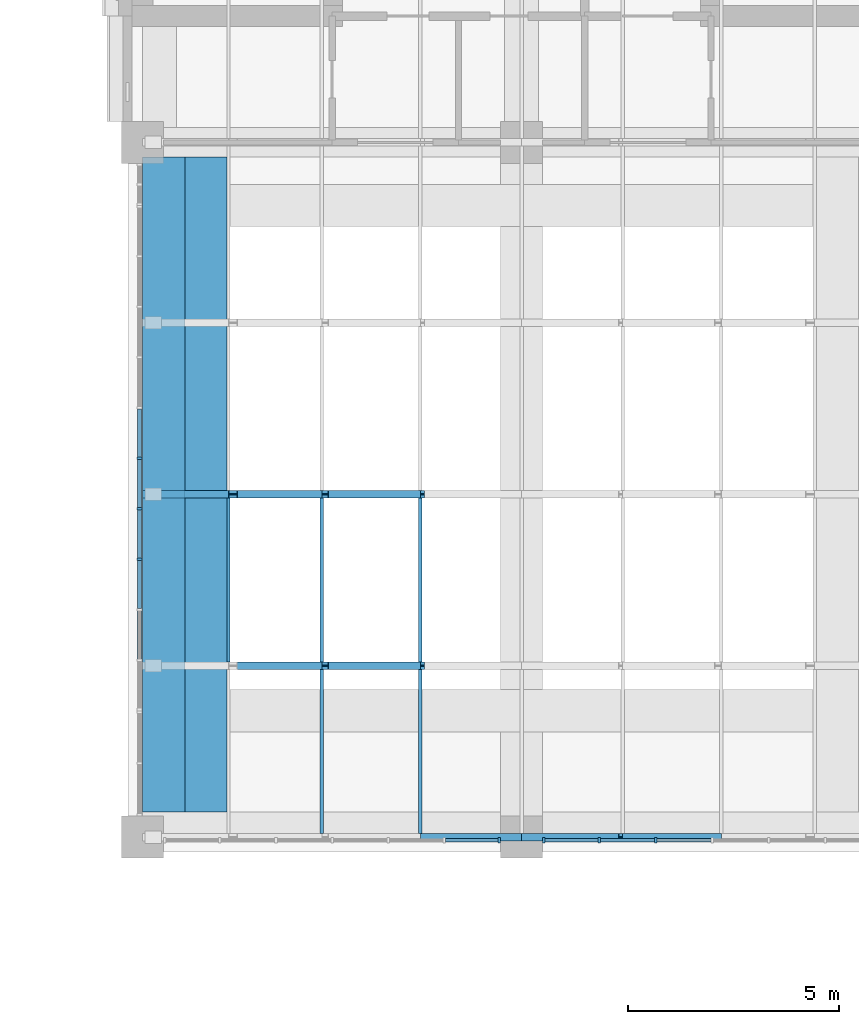
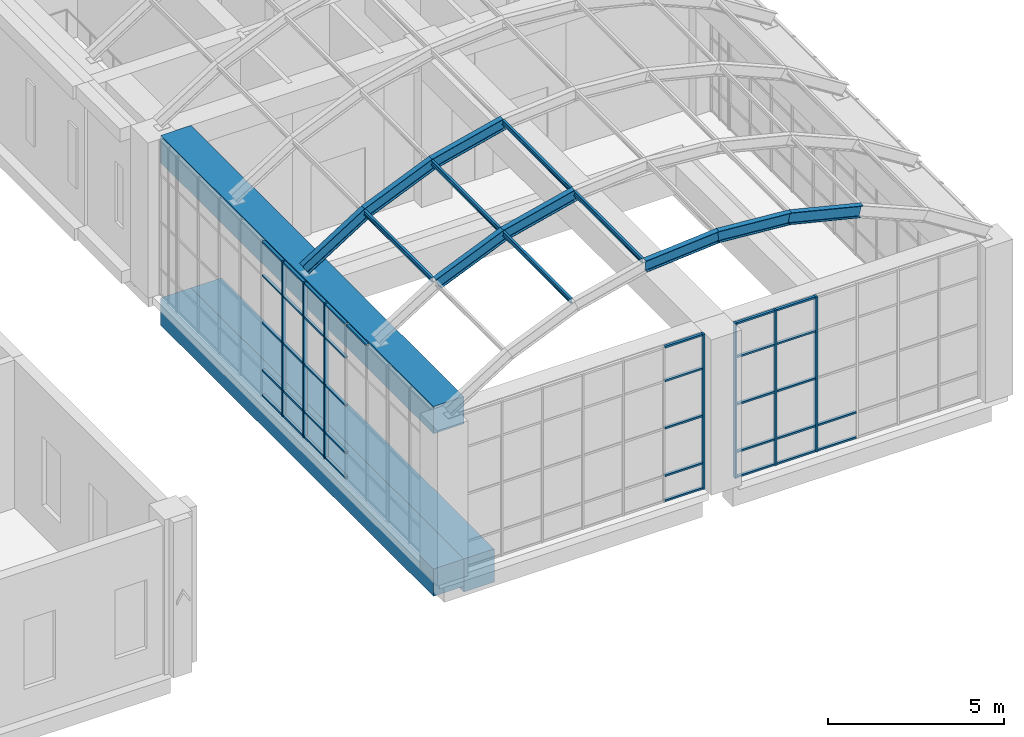
# One storey, part 7 of 39: 58 members, 3 beams, 3 elements without a shape of their own.
"""IFC4 building model written with IfcOpenShell, lengths in metres."""

from ifc_helpers import new_model, si_unit, direction, frame, origin, origin_2d, place, context, subcontext, project, spatial, rectangle, i_section, extrude, material, layer, layer_set, material_profile, profile_set, type_object, element, aggregate, save


model = new_model("IFC4")

# Units and contexts
model_context = context("Model", 3, precision=1e-05, world=origin(), true_north=direction((0.0, 1.0)))
body_context = subcontext(model_context, "Body", "Model", "MODEL_VIEW")
ifc_project = project(units=[si_unit("LENGTHUNIT", "METRE"), si_unit("AREAUNIT", "SQUARE_METRE"), si_unit("VOLUMEUNIT", "CUBIC_METRE"), si_unit("PLANEANGLEUNIT", "RADIAN"), si_unit("MASSUNIT", "GRAM", prefix="KILO")], contexts=[model_context])

# Site, building, storey
site_placement = place(None, origin())
site = spatial("IfcSite", under=ifc_project, at=site_placement, CompositionType="ELEMENT")
building_placement = place(site_placement, origin())
building = spatial("IfcBuilding", under=site, at=building_placement, Name="Aurelan Courthouse", CompositionType="ELEMENT")
storey_placement = place(building_placement, frame((0.0, 0.0, 28.199951171875)))
storey = spatial("IfcBuildingStorey", under=building, at=storey_placement, Name="L05", CompositionType="ELEMENT", Elevation=28.199951171875)

# Curtain wall, member
ifc_material_1 = material(Name="Bronze-finished aluminium and glass", Category="aluminium")
ifc_layer_1 = layer(ifc_material_1, 0.14990234375)
ifc_layer_set_1 = layer_set([ifc_layer_1], Name="Bronze-finished aluminium and glass")
curtain_wall_type_1 = type_object("IfcCurtainWallType", Name="Curtain wall 8000 x 5400", PredefinedType="NOTDEFINED", material=ifc_layer_set_1)
curtain_wall_1_placement = place(storey_placement, origin())
curtain_wall_1 = element("IfcCurtainWall", 1, at=curtain_wall_1_placement, inside=storey, type_object=curtain_wall_type_1, Name="Curtain wall CW-V3-L05-S01", PredefinedType="NOTDEFINED")
ifc_material_2 = material(Name="Bronze-finished aluminium", Category="aluminium")
ifc_material_profile_1 = material_profile(ifc_material_2, rectangle(XDim=0.125, YDim=0.06005859375, at=origin_2d()), Name="Bronze mullion 60 x 125")
ifc_profile_set_1 = profile_set([ifc_material_profile_1], Name="Bronze-finished aluminium")
member_type_1 = type_object("IfcMemberType", Name="Curtain wall mullion 60 x 125", PredefinedType="MULLION", material=ifc_profile_set_1)
member_1_placement = place(storey_placement, frame((80.469970703125, 37.425048828125, 0.0), z_axis=(0.0, 0.0, 1.0), x_axis=(0.0, 1.0, 0.0)))
member_1 = element("IfcMember", 2, at=member_1_placement, type_object=member_type_1, Name="CW-V3-L05-S01 mullion 7", PredefinedType="MULLION", context=body_context, shape_type="SweptSolid", body=[
    extrude(rectangle(XDim=0.125, YDim=0.06005859375, at=origin_2d()), origin(), (0.0, 0.0, 1.0), 5.400146484375),
])

# Curtain wall, members
ifc_layer_2 = layer(ifc_material_1, 0.14990234375)
ifc_layer_set_2 = layer_set([ifc_layer_2], Name="Bronze-finished aluminium and glass")
curtain_wall_type_2 = type_object("IfcCurtainWallType", Name="Curtain wall 8050 x 5400", PredefinedType="NOTDEFINED", material=ifc_layer_set_2)
curtain_wall_2_placement = place(storey_placement, origin())
curtain_wall_2 = element("IfcCurtainWall", 3, at=curtain_wall_2_placement, inside=storey, type_object=curtain_wall_type_2, Name="Curtain wall CW-V3-L05-S02", PredefinedType="NOTDEFINED")
member_2_placement = place(storey_placement, frame((81.530029296875, 37.425048828125, 0.0), z_axis=(0.0, 0.0, 1.0), x_axis=(0.0, 1.0, 0.0)))
member_2 = element("IfcMember", 4, at=member_2_placement, type_object=member_type_1, Name="CW-V3-L05-S02 mullion 1", PredefinedType="MULLION", context=body_context, shape_type="SweptSolid", body=[
    extrude(rectangle(XDim=0.125, YDim=0.06005859375, at=origin_2d()), origin(), (0.0, 0.0, 1.0), 5.400146484375),
])
member_3_placement = place(storey_placement, frame((82.841552734375, 37.425048828125, 0.0), z_axis=(0.0, 0.0, 1.0), x_axis=(0.0, 1.0, 0.0)))
member_3 = element("IfcMember", 5, at=member_3_placement, type_object=member_type_1, Name="CW-V3-L05-S02 mullion 2", PredefinedType="MULLION", context=body_context, shape_type="SweptSolid", body=[
    extrude(rectangle(XDim=0.125, YDim=0.06005859375, at=origin_2d()), origin(), (0.0, 0.0, 1.0), 5.400146484375),
])
member_4_placement = place(storey_placement, frame((84.183349609375, 37.425048828125, 0.0), z_axis=(0.0, 0.0, 1.0), x_axis=(0.0, 1.0, 0.0)))
member_4 = element("IfcMember", 6, at=member_4_placement, type_object=member_type_1, Name="CW-V3-L05-S02 mullion 3", PredefinedType="MULLION", context=body_context, shape_type="SweptSolid", body=[
    extrude(rectangle(XDim=0.125, YDim=0.06005859375, at=origin_2d()), origin(), (0.0, 0.0, 1.0), 5.400146484375),
])

ifc_layer_3 = layer(ifc_material_1, 0.14990234375)
ifc_layer_set_3 = layer_set([ifc_layer_3], Name="Bronze-finished aluminium and glass")
curtain_wall_type_3 = type_object("IfcCurtainWallType", Name="Curtain wall 12000 x 5400", PredefinedType="NOTDEFINED", material=ifc_layer_set_3)
curtain_wall_3_placement = place(storey_placement, origin())
curtain_wall_3 = element("IfcCurtainWall", 7, at=curtain_wall_3_placement, inside=storey, type_object=curtain_wall_type_3, Name="Curtain wall CW-V3-L05-W02", PredefinedType="NOTDEFINED")
member_5_placement = place(storey_placement, frame((71.925048828125, 44.10009765625, 0.0), z_axis=(0.0, 0.0, 1.0), x_axis=(-1.0, 0.0, 0.0)))
member_5 = element("IfcMember", 8, at=member_5_placement, type_object=member_type_1, Name="CW-V3-L05-W02 mullion 4", PredefinedType="MULLION", context=body_context, shape_type="SweptSolid", body=[
    extrude(rectangle(XDim=0.125, YDim=0.06005859375, at=origin_2d()), origin(), (0.0, 0.0, 1.0), 5.400146484375),
])
member_6_placement = place(storey_placement, frame((71.925048828125, 45.300048828125, 0.0), z_axis=(0.0, 0.0, 1.0), x_axis=(-1.0, 0.0, 0.0)))
member_6 = element("IfcMember", 9, at=member_6_placement, type_object=member_type_1, Name="CW-V3-L05-W02 mullion 5", PredefinedType="MULLION", context=body_context, shape_type="SweptSolid", body=[
    extrude(rectangle(XDim=0.125, YDim=0.06005859375, at=origin_2d()), origin(), (0.0, 0.0, 1.0), 5.400146484375),
])
member_7_placement = place(storey_placement, frame((71.925048828125, 46.5, 0.0), z_axis=(0.0, 0.0, 1.0), x_axis=(-1.0, 0.0, 0.0)))
member_7 = element("IfcMember", 10, at=member_7_placement, type_object=member_type_1, Name="CW-V3-L05-W02 mullion 6", PredefinedType="MULLION", context=body_context, shape_type="SweptSolid", body=[
    extrude(rectangle(XDim=0.125, YDim=0.06005859375, at=origin_2d()), origin(), (0.0, 0.0, 1.0), 5.400146484375),
])

# Member
ifc_material_profile_2 = material_profile(ifc_material_2, rectangle(XDim=0.090087890625, YDim=0.06005859375, at=origin_2d()), Name="Bronze transom 60 x 90")
ifc_profile_set_2 = profile_set([ifc_material_profile_2], Name="Bronze-finished aluminium")
member_type_2 = type_object("IfcMemberType", Name="Curtain wall transom 60 x 90", PredefinedType="USERDEFINED", material=ifc_profile_set_2)
member_8_placement = place(storey_placement, frame((79.19677734375, 37.425048828125, 0.030029296875), z_axis=(1.0, 0.0, 0.0), x_axis=(0.0, 1.0, 0.0)))
member_8 = element("IfcMember", 11, at=member_8_placement, type_object=member_type_2, Name="CW-V3-L05-S01 transom 6.1", ObjectType="TRANSOM", PredefinedType="USERDEFINED", context=body_context, shape_type="SweptSolid", body=[
    extrude(rectangle(XDim=0.090087890625, YDim=0.06005859375, at=origin_2d()), origin(), (0.0, 0.0, 1.0), 1.2431640625),
])

member_9_placement = place(storey_placement, frame((79.19677734375, 37.425048828125, 0.900146484375), z_axis=(1.0, 0.0, 0.0), x_axis=(0.0, 1.0, 0.0)))
member_9 = element("IfcMember", 12, at=member_9_placement, type_object=member_type_2, Name="CW-V3-L05-S01 transom 6.2", ObjectType="TRANSOM", PredefinedType="USERDEFINED", context=body_context, shape_type="SweptSolid", body=[
    extrude(rectangle(XDim=0.090087890625, YDim=0.06005859375, at=origin_2d()), origin(), (0.0, 0.0, 1.0), 1.2431640625),
])

member_10_placement = place(storey_placement, frame((79.19677734375, 37.425048828125, 2.550048828125), z_axis=(1.0, 0.0, 0.0), x_axis=(0.0, 1.0, 0.0)))
member_10 = element("IfcMember", 13, at=member_10_placement, type_object=member_type_2, Name="CW-V3-L05-S01 transom 6.3", ObjectType="TRANSOM", PredefinedType="USERDEFINED", context=body_context, shape_type="SweptSolid", body=[
    extrude(rectangle(XDim=0.090087890625, YDim=0.06005859375, at=origin_2d()), origin(), (0.0, 0.0, 1.0), 1.2431640625),
])

member_11_placement = place(storey_placement, frame((79.19677734375, 37.425048828125, 4.199951171875), z_axis=(1.0, 0.0, 0.0), x_axis=(0.0, 1.0, 0.0)))
member_11 = element("IfcMember", 14, at=member_11_placement, type_object=member_type_2, Name="CW-V3-L05-S01 transom 6.4", ObjectType="TRANSOM", PredefinedType="USERDEFINED", context=body_context, shape_type="SweptSolid", body=[
    extrude(rectangle(XDim=0.090087890625, YDim=0.06005859375, at=origin_2d()), origin(), (0.0, 0.0, 1.0), 1.2431640625),
])

member_12_placement = place(storey_placement, frame((79.19677734375, 37.425048828125, 5.3701171875), z_axis=(1.0, 0.0, 0.0), x_axis=(0.0, 1.0, 0.0)))
member_12 = element("IfcMember", 15, at=member_12_placement, type_object=member_type_2, Name="CW-V3-L05-S01 transom 6.5", ObjectType="TRANSOM", PredefinedType="USERDEFINED", context=body_context, shape_type="SweptSolid", body=[
    extrude(rectangle(XDim=0.090087890625, YDim=0.06005859375, at=origin_2d()), origin(), (0.0, 0.0, 1.0), 1.2431640625),
])

aggregate(curtain_wall_1, [member_1, member_8, member_9, member_10, member_11, member_12])

member_13_placement = place(storey_placement, frame((81.56005859375, 37.425048828125, 0.030029296875), z_axis=(1.0, 0.0, 0.0), x_axis=(0.0, 1.0, 0.0)))
member_13 = element("IfcMember", 16, at=member_13_placement, type_object=member_type_2, Name="CW-V3-L05-S02 transom 1.1", ObjectType="TRANSOM", PredefinedType="USERDEFINED", context=body_context, shape_type="SweptSolid", body=[
    extrude(rectangle(XDim=0.090087890625, YDim=0.06005859375, at=origin_2d()), origin(), (0.0, 0.0, 1.0), 1.251708984375),
])

member_14_placement = place(storey_placement, frame((81.56005859375, 37.425048828125, 0.900146484375), z_axis=(1.0, 0.0, 0.0), x_axis=(0.0, 1.0, 0.0)))
member_14 = element("IfcMember", 17, at=member_14_placement, type_object=member_type_2, Name="CW-V3-L05-S02 transom 1.2", ObjectType="TRANSOM", PredefinedType="USERDEFINED", context=body_context, shape_type="SweptSolid", body=[
    extrude(rectangle(XDim=0.090087890625, YDim=0.06005859375, at=origin_2d()), origin(), (0.0, 0.0, 1.0), 1.251708984375),
])

member_15_placement = place(storey_placement, frame((81.56005859375, 37.425048828125, 2.550048828125), z_axis=(1.0, 0.0, 0.0), x_axis=(0.0, 1.0, 0.0)))
member_15 = element("IfcMember", 18, at=member_15_placement, type_object=member_type_2, Name="CW-V3-L05-S02 transom 1.3", ObjectType="TRANSOM", PredefinedType="USERDEFINED", context=body_context, shape_type="SweptSolid", body=[
    extrude(rectangle(XDim=0.090087890625, YDim=0.06005859375, at=origin_2d()), origin(), (0.0, 0.0, 1.0), 1.251708984375),
])

member_16_placement = place(storey_placement, frame((81.56005859375, 37.425048828125, 4.199951171875), z_axis=(1.0, 0.0, 0.0), x_axis=(0.0, 1.0, 0.0)))
member_16 = element("IfcMember", 19, at=member_16_placement, type_object=member_type_2, Name="CW-V3-L05-S02 transom 1.4", ObjectType="TRANSOM", PredefinedType="USERDEFINED", context=body_context, shape_type="SweptSolid", body=[
    extrude(rectangle(XDim=0.090087890625, YDim=0.06005859375, at=origin_2d()), origin(), (0.0, 0.0, 1.0), 1.251708984375),
])

member_17_placement = place(storey_placement, frame((81.56005859375, 37.425048828125, 5.3701171875), z_axis=(1.0, 0.0, 0.0), x_axis=(0.0, 1.0, 0.0)))
member_17 = element("IfcMember", 20, at=member_17_placement, type_object=member_type_2, Name="CW-V3-L05-S02 transom 1.5", ObjectType="TRANSOM", PredefinedType="USERDEFINED", context=body_context, shape_type="SweptSolid", body=[
    extrude(rectangle(XDim=0.090087890625, YDim=0.06005859375, at=origin_2d()), origin(), (0.0, 0.0, 1.0), 1.251708984375),
])

member_18_placement = place(storey_placement, frame((82.87158203125, 37.425048828125, 0.030029296875), z_axis=(1.0, 0.0, 0.0), x_axis=(0.0, 1.0, 0.0)))
member_18 = element("IfcMember", 21, at=member_18_placement, type_object=member_type_2, Name="CW-V3-L05-S02 transom 2.1", ObjectType="TRANSOM", PredefinedType="USERDEFINED", context=body_context, shape_type="SweptSolid", body=[
    extrude(rectangle(XDim=0.090087890625, YDim=0.06005859375, at=origin_2d()), origin(), (0.0, 0.0, 1.0), 1.28173828125),
])

member_19_placement = place(storey_placement, frame((82.87158203125, 37.425048828125, 0.900146484375), z_axis=(1.0, 0.0, 0.0), x_axis=(0.0, 1.0, 0.0)))
member_19 = element("IfcMember", 22, at=member_19_placement, type_object=member_type_2, Name="CW-V3-L05-S02 transom 2.2", ObjectType="TRANSOM", PredefinedType="USERDEFINED", context=body_context, shape_type="SweptSolid", body=[
    extrude(rectangle(XDim=0.090087890625, YDim=0.06005859375, at=origin_2d()), origin(), (0.0, 0.0, 1.0), 1.28173828125),
])

member_20_placement = place(storey_placement, frame((82.87158203125, 37.425048828125, 2.550048828125), z_axis=(1.0, 0.0, 0.0), x_axis=(0.0, 1.0, 0.0)))
member_20 = element("IfcMember", 23, at=member_20_placement, type_object=member_type_2, Name="CW-V3-L05-S02 transom 2.3", ObjectType="TRANSOM", PredefinedType="USERDEFINED", context=body_context, shape_type="SweptSolid", body=[
    extrude(rectangle(XDim=0.090087890625, YDim=0.06005859375, at=origin_2d()), origin(), (0.0, 0.0, 1.0), 1.28173828125),
])

member_21_placement = place(storey_placement, frame((82.87158203125, 37.425048828125, 4.199951171875), z_axis=(1.0, 0.0, 0.0), x_axis=(0.0, 1.0, 0.0)))
member_21 = element("IfcMember", 24, at=member_21_placement, type_object=member_type_2, Name="CW-V3-L05-S02 transom 2.4", ObjectType="TRANSOM", PredefinedType="USERDEFINED", context=body_context, shape_type="SweptSolid", body=[
    extrude(rectangle(XDim=0.090087890625, YDim=0.06005859375, at=origin_2d()), origin(), (0.0, 0.0, 1.0), 1.28173828125),
])

member_22_placement = place(storey_placement, frame((82.87158203125, 37.425048828125, 5.3701171875), z_axis=(1.0, 0.0, 0.0), x_axis=(0.0, 1.0, 0.0)))
member_22 = element("IfcMember", 25, at=member_22_placement, type_object=member_type_2, Name="CW-V3-L05-S02 transom 2.5", ObjectType="TRANSOM", PredefinedType="USERDEFINED", context=body_context, shape_type="SweptSolid", body=[
    extrude(rectangle(XDim=0.090087890625, YDim=0.06005859375, at=origin_2d()), origin(), (0.0, 0.0, 1.0), 1.28173828125),
])

member_23_placement = place(storey_placement, frame((84.21337890625, 37.425048828125, 0.030029296875), z_axis=(1.0, 0.0, 0.0), x_axis=(0.0, 1.0, 0.0)))
member_23 = element("IfcMember", 26, at=member_23_placement, type_object=member_type_2, Name="CW-V3-L05-S02 transom 3.1", ObjectType="TRANSOM", PredefinedType="USERDEFINED", context=body_context, shape_type="SweptSolid", body=[
    extrude(rectangle(XDim=0.090087890625, YDim=0.06005859375, at=origin_2d()), origin(), (0.0, 0.0, 1.0), 1.28173828125),
])

member_24_placement = place(storey_placement, frame((84.21337890625, 37.425048828125, 0.900146484375), z_axis=(1.0, 0.0, 0.0), x_axis=(0.0, 1.0, 0.0)))
member_24 = element("IfcMember", 27, at=member_24_placement, type_object=member_type_2, Name="CW-V3-L05-S02 transom 3.2", ObjectType="TRANSOM", PredefinedType="USERDEFINED", context=body_context, shape_type="SweptSolid", body=[
    extrude(rectangle(XDim=0.090087890625, YDim=0.06005859375, at=origin_2d()), origin(), (0.0, 0.0, 1.0), 1.28173828125),
])

aggregate(curtain_wall_2, [member_2, member_3, member_4, member_13, member_14, member_15, member_16, member_17, member_18, member_19, member_20, member_21, member_22, member_23, member_24])

member_25_placement = place(storey_placement, frame((71.925048828125, 41.72998046875, 5.3701171875), z_axis=(0.0, 1.0, 0.0), x_axis=(-1.0, 0.0, 0.0)))
member_25 = element("IfcMember", 28, at=member_25_placement, type_object=member_type_2, Name="CW-V3-L05-W02 transom 2.5", ObjectType="TRANSOM", PredefinedType="USERDEFINED", context=body_context, shape_type="SweptSolid", body=[
    extrude(rectangle(XDim=0.090087890625, YDim=0.06005859375, at=origin_2d()), origin(), (0.0, 0.0, 1.0), 1.14013671875),
])

member_26_placement = place(storey_placement, frame((71.925048828125, 42.929931640625, 0.030029296875), z_axis=(0.0, 1.0, 0.0), x_axis=(-1.0, 0.0, 0.0)))
member_26 = element("IfcMember", 29, at=member_26_placement, type_object=member_type_2, Name="CW-V3-L05-W02 transom 3.1", ObjectType="TRANSOM", PredefinedType="USERDEFINED", context=body_context, shape_type="SweptSolid", body=[
    extrude(rectangle(XDim=0.090087890625, YDim=0.06005859375, at=origin_2d()), origin(), (0.0, 0.0, 1.0), 1.14013671875),
])

member_27_placement = place(storey_placement, frame((71.925048828125, 42.929931640625, 0.900146484375), z_axis=(0.0, 1.0, 0.0), x_axis=(-1.0, 0.0, 0.0)))
member_27 = element("IfcMember", 30, at=member_27_placement, type_object=member_type_2, Name="CW-V3-L05-W02 transom 3.2", ObjectType="TRANSOM", PredefinedType="USERDEFINED", context=body_context, shape_type="SweptSolid", body=[
    extrude(rectangle(XDim=0.090087890625, YDim=0.06005859375, at=origin_2d()), origin(), (0.0, 0.0, 1.0), 1.14013671875),
])

member_28_placement = place(storey_placement, frame((71.925048828125, 42.929931640625, 2.550048828125), z_axis=(0.0, 1.0, 0.0), x_axis=(-1.0, 0.0, 0.0)))
member_28 = element("IfcMember", 31, at=member_28_placement, type_object=member_type_2, Name="CW-V3-L05-W02 transom 3.3", ObjectType="TRANSOM", PredefinedType="USERDEFINED", context=body_context, shape_type="SweptSolid", body=[
    extrude(rectangle(XDim=0.090087890625, YDim=0.06005859375, at=origin_2d()), origin(), (0.0, 0.0, 1.0), 1.14013671875),
])

member_29_placement = place(storey_placement, frame((71.925048828125, 42.929931640625, 4.199951171875), z_axis=(0.0, 1.0, 0.0), x_axis=(-1.0, 0.0, 0.0)))
member_29 = element("IfcMember", 32, at=member_29_placement, type_object=member_type_2, Name="CW-V3-L05-W02 transom 3.4", ObjectType="TRANSOM", PredefinedType="USERDEFINED", context=body_context, shape_type="SweptSolid", body=[
    extrude(rectangle(XDim=0.090087890625, YDim=0.06005859375, at=origin_2d()), origin(), (0.0, 0.0, 1.0), 1.14013671875),
])

member_30_placement = place(storey_placement, frame((71.925048828125, 42.929931640625, 5.3701171875), z_axis=(0.0, 1.0, 0.0), x_axis=(-1.0, 0.0, 0.0)))
member_30 = element("IfcMember", 33, at=member_30_placement, type_object=member_type_2, Name="CW-V3-L05-W02 transom 3.5", ObjectType="TRANSOM", PredefinedType="USERDEFINED", context=body_context, shape_type="SweptSolid", body=[
    extrude(rectangle(XDim=0.090087890625, YDim=0.06005859375, at=origin_2d()), origin(), (0.0, 0.0, 1.0), 1.14013671875),
])

member_31_placement = place(storey_placement, frame((71.925048828125, 44.1298828125, 0.030029296875), z_axis=(0.0, 1.0, 0.0), x_axis=(-1.0, 0.0, 0.0)))
member_31 = element("IfcMember", 34, at=member_31_placement, type_object=member_type_2, Name="CW-V3-L05-W02 transom 4.1", ObjectType="TRANSOM", PredefinedType="USERDEFINED", context=body_context, shape_type="SweptSolid", body=[
    extrude(rectangle(XDim=0.090087890625, YDim=0.06005859375, at=origin_2d()), origin(), (0.0, 0.0, 1.0), 1.14013671875),
])

member_32_placement = place(storey_placement, frame((71.925048828125, 44.1298828125, 0.900146484375), z_axis=(0.0, 1.0, 0.0), x_axis=(-1.0, 0.0, 0.0)))
member_32 = element("IfcMember", 35, at=member_32_placement, type_object=member_type_2, Name="CW-V3-L05-W02 transom 4.2", ObjectType="TRANSOM", PredefinedType="USERDEFINED", context=body_context, shape_type="SweptSolid", body=[
    extrude(rectangle(XDim=0.090087890625, YDim=0.06005859375, at=origin_2d()), origin(), (0.0, 0.0, 1.0), 1.14013671875),
])

member_33_placement = place(storey_placement, frame((71.925048828125, 44.1298828125, 2.550048828125), z_axis=(0.0, 1.0, 0.0), x_axis=(-1.0, 0.0, 0.0)))
member_33 = element("IfcMember", 36, at=member_33_placement, type_object=member_type_2, Name="CW-V3-L05-W02 transom 4.3", ObjectType="TRANSOM", PredefinedType="USERDEFINED", context=body_context, shape_type="SweptSolid", body=[
    extrude(rectangle(XDim=0.090087890625, YDim=0.06005859375, at=origin_2d()), origin(), (0.0, 0.0, 1.0), 1.14013671875),
])

member_34_placement = place(storey_placement, frame((71.925048828125, 44.1298828125, 4.199951171875), z_axis=(0.0, 1.0, 0.0), x_axis=(-1.0, 0.0, 0.0)))
member_34 = element("IfcMember", 37, at=member_34_placement, type_object=member_type_2, Name="CW-V3-L05-W02 transom 4.4", ObjectType="TRANSOM", PredefinedType="USERDEFINED", context=body_context, shape_type="SweptSolid", body=[
    extrude(rectangle(XDim=0.090087890625, YDim=0.06005859375, at=origin_2d()), origin(), (0.0, 0.0, 1.0), 1.14013671875),
])

member_35_placement = place(storey_placement, frame((71.925048828125, 44.1298828125, 5.3701171875), z_axis=(0.0, 1.0, 0.0), x_axis=(-1.0, 0.0, 0.0)))
member_35 = element("IfcMember", 38, at=member_35_placement, type_object=member_type_2, Name="CW-V3-L05-W02 transom 4.5", ObjectType="TRANSOM", PredefinedType="USERDEFINED", context=body_context, shape_type="SweptSolid", body=[
    extrude(rectangle(XDim=0.090087890625, YDim=0.06005859375, at=origin_2d()), origin(), (0.0, 0.0, 1.0), 1.14013671875),
])

member_36_placement = place(storey_placement, frame((71.925048828125, 45.330078125, 0.030029296875), z_axis=(0.0, 1.0, 0.0), x_axis=(-1.0, 0.0, 0.0)))
member_36 = element("IfcMember", 39, at=member_36_placement, type_object=member_type_2, Name="CW-V3-L05-W02 transom 5.1", ObjectType="TRANSOM", PredefinedType="USERDEFINED", context=body_context, shape_type="SweptSolid", body=[
    extrude(rectangle(XDim=0.090087890625, YDim=0.06005859375, at=origin_2d()), origin(), (0.0, 0.0, 1.0), 1.139892578125),
])

member_37_placement = place(storey_placement, frame((71.925048828125, 45.330078125, 0.900146484375), z_axis=(0.0, 1.0, 0.0), x_axis=(-1.0, 0.0, 0.0)))
member_37 = element("IfcMember", 40, at=member_37_placement, type_object=member_type_2, Name="CW-V3-L05-W02 transom 5.2", ObjectType="TRANSOM", PredefinedType="USERDEFINED", context=body_context, shape_type="SweptSolid", body=[
    extrude(rectangle(XDim=0.090087890625, YDim=0.06005859375, at=origin_2d()), origin(), (0.0, 0.0, 1.0), 1.139892578125),
])

member_38_placement = place(storey_placement, frame((71.925048828125, 45.330078125, 2.550048828125), z_axis=(0.0, 1.0, 0.0), x_axis=(-1.0, 0.0, 0.0)))
member_38 = element("IfcMember", 41, at=member_38_placement, type_object=member_type_2, Name="CW-V3-L05-W02 transom 5.3", ObjectType="TRANSOM", PredefinedType="USERDEFINED", context=body_context, shape_type="SweptSolid", body=[
    extrude(rectangle(XDim=0.090087890625, YDim=0.06005859375, at=origin_2d()), origin(), (0.0, 0.0, 1.0), 1.139892578125),
])

member_39_placement = place(storey_placement, frame((71.925048828125, 45.330078125, 4.199951171875), z_axis=(0.0, 1.0, 0.0), x_axis=(-1.0, 0.0, 0.0)))
member_39 = element("IfcMember", 42, at=member_39_placement, type_object=member_type_2, Name="CW-V3-L05-W02 transom 5.4", ObjectType="TRANSOM", PredefinedType="USERDEFINED", context=body_context, shape_type="SweptSolid", body=[
    extrude(rectangle(XDim=0.090087890625, YDim=0.06005859375, at=origin_2d()), origin(), (0.0, 0.0, 1.0), 1.139892578125),
])

member_40_placement = place(storey_placement, frame((71.925048828125, 45.330078125, 5.3701171875), z_axis=(0.0, 1.0, 0.0), x_axis=(-1.0, 0.0, 0.0)))
member_40 = element("IfcMember", 43, at=member_40_placement, type_object=member_type_2, Name="CW-V3-L05-W02 transom 5.5", ObjectType="TRANSOM", PredefinedType="USERDEFINED", context=body_context, shape_type="SweptSolid", body=[
    extrude(rectangle(XDim=0.090087890625, YDim=0.06005859375, at=origin_2d()), origin(), (0.0, 0.0, 1.0), 1.139892578125),
])

member_41_placement = place(storey_placement, frame((71.925048828125, 46.530029296875, 0.030029296875), z_axis=(0.0, 1.0, 0.0), x_axis=(-1.0, 0.0, 0.0)))
member_41 = element("IfcMember", 44, at=member_41_placement, type_object=member_type_2, Name="CW-V3-L05-W02 transom 6.1", ObjectType="TRANSOM", PredefinedType="USERDEFINED", context=body_context, shape_type="SweptSolid", body=[
    extrude(rectangle(XDim=0.090087890625, YDim=0.06005859375, at=origin_2d()), origin(), (0.0, 0.0, 1.0), 1.139892578125),
])

member_42_placement = place(storey_placement, frame((71.925048828125, 46.530029296875, 0.900146484375), z_axis=(0.0, 1.0, 0.0), x_axis=(-1.0, 0.0, 0.0)))
member_42 = element("IfcMember", 45, at=member_42_placement, type_object=member_type_2, Name="CW-V3-L05-W02 transom 6.2", ObjectType="TRANSOM", PredefinedType="USERDEFINED", context=body_context, shape_type="SweptSolid", body=[
    extrude(rectangle(XDim=0.090087890625, YDim=0.06005859375, at=origin_2d()), origin(), (0.0, 0.0, 1.0), 1.139892578125),
])

member_43_placement = place(storey_placement, frame((71.925048828125, 46.530029296875, 2.550048828125), z_axis=(0.0, 1.0, 0.0), x_axis=(-1.0, 0.0, 0.0)))
member_43 = element("IfcMember", 46, at=member_43_placement, type_object=member_type_2, Name="CW-V3-L05-W02 transom 6.3", ObjectType="TRANSOM", PredefinedType="USERDEFINED", context=body_context, shape_type="SweptSolid", body=[
    extrude(rectangle(XDim=0.090087890625, YDim=0.06005859375, at=origin_2d()), origin(), (0.0, 0.0, 1.0), 1.139892578125),
])

member_44_placement = place(storey_placement, frame((71.925048828125, 46.530029296875, 4.199951171875), z_axis=(0.0, 1.0, 0.0), x_axis=(-1.0, 0.0, 0.0)))
member_44 = element("IfcMember", 47, at=member_44_placement, type_object=member_type_2, Name="CW-V3-L05-W02 transom 6.4", ObjectType="TRANSOM", PredefinedType="USERDEFINED", context=body_context, shape_type="SweptSolid", body=[
    extrude(rectangle(XDim=0.090087890625, YDim=0.06005859375, at=origin_2d()), origin(), (0.0, 0.0, 1.0), 1.139892578125),
])

member_45_placement = place(storey_placement, frame((71.925048828125, 46.530029296875, 5.3701171875), z_axis=(0.0, 1.0, 0.0), x_axis=(-1.0, 0.0, 0.0)))
member_45 = element("IfcMember", 48, at=member_45_placement, type_object=member_type_2, Name="CW-V3-L05-W02 transom 6.5", ObjectType="TRANSOM", PredefinedType="USERDEFINED", context=body_context, shape_type="SweptSolid", body=[
    extrude(rectangle(XDim=0.090087890625, YDim=0.06005859375, at=origin_2d()), origin(), (0.0, 0.0, 1.0), 1.139892578125),
])

aggregate(curtain_wall_3, [member_5, member_6, member_7, member_25, member_26, member_27, member_28, member_29, member_30, member_31, member_32, member_33, member_34, member_35, member_36, member_37, member_38, member_39, member_40, member_41, member_42, member_43, member_44, member_45])

# Beams
ifc_material_3 = material(Name="Concrete C50", Category="concrete")
ifc_material_profile_3 = material_profile(ifc_material_3, rectangle(XDim=1.0, YDim=0.949951171875, at=origin_2d()), Name="RC 1000 x 950")
ifc_profile_set_3 = profile_set([ifc_material_profile_3], Name="Concrete C50")
beam_type_1 = type_object("IfcBeamType", Name="PT girder 1000 x 950", PredefinedType="BEAM", material=ifc_profile_set_3)
for number, where, z_axis, x_axis, name in (
    (49, (72.5, 38.10009765625, -0.724853515625), (0.0, 1.0, 0.0), (-1.0, 0.0, 0.0), "Girder GB-9DE-E"),
    (50, (72.5, 38.10009765625, 4.925048828125), (0.0, 1.0, 0.0), (-1.0, 0.0, 0.0), "Girder GB-9DEER"),
):
    element("IfcBeam", number, at=place(storey_placement, frame(where, z_axis=z_axis, x_axis=x_axis)), inside=storey, type_object=beam_type_1, Name=name, PredefinedType="BEAM", context=body_context, shape_type="SweptSolid", body=[
        extrude(rectangle(XDim=1.0, YDim=0.949951171875, at=origin_2d()), origin(), (0.0, 0.0, 1.0), 15.5498046875),
    ])
ifc_material_4 = material(Name="Concrete C40", Category="concrete")
ifc_material_profile_4 = material_profile(ifc_material_4, rectangle(XDim=1.0, YDim=1.14990234375, at=origin_2d()), Name="RC 1000 x 1150")
ifc_profile_set_4 = profile_set([ifc_material_profile_4], Name="Concrete C40")
beam_type_2 = type_object("IfcBeamType", Name="RC trimmer beam 1000 x 1150", PredefinedType="JOIST", material=ifc_profile_set_4)
beam_placement = place(storey_placement, frame((73.5, 38.10009765625, -0.824951171875), z_axis=(0.0, 1.0, 0.0), x_axis=(-1.0, 0.0, 0.0)))
element("IfcBeam", 51, at=beam_placement, inside=storey, type_object=beam_type_2, Name="Trimmer beam TB-L05-001", PredefinedType="JOIST", context=body_context, shape_type="SweptSolid", body=[
    extrude(rectangle(XDim=1.0, YDim=1.14990234375, at=origin_2d()), origin(), (0.0, 0.0, 1.0), 15.5498046875),
])

# Members
ifc_material_5 = material(Name="Steel S355", Category="steel")
ifc_material_profile_5 = material_profile(ifc_material_5, i_section(OverallWidth=0.08203125, OverallDepth=0.159912109375, WebThickness=0.0048828125, FlangeThickness=0.00732421875, FilletRadius=0.009033203125, at=origin_2d()), Name="IPE 160")
ifc_profile_set_5 = profile_set([ifc_material_profile_5], Name="Steel S355")
member_type_3 = type_object("IfcMemberType", Name="Vault purlin IPE 160", PredefinedType="PURLIN", material=ifc_profile_set_5)
member_46_placement = place(storey_placement, frame((74.038330078125, 41.661376953125, 6.93798828125), z_axis=(0.0, 1.0, 0.0), x_axis=(-1.0, 0.0, 0.0)))
element("IfcMember", 52, at=member_46_placement, inside=storey, type_object=member_type_3, Name="Vault purlin VP 1-2", PredefinedType="PURLIN", context=body_context, shape_type="SweptSolid", body=[
    extrude(i_section(OverallWidth=0.08203125, OverallDepth=0.159912109375, WebThickness=0.0048828125, FlangeThickness=0.00732421875, FilletRadius=0.009033203125, at=origin_2d()), origin(), (0.0, 0.0, 1.0), 3.8916015625),
])
member_47_placement = place(storey_placement, frame((76.256591796875, 37.590087890625, 7.89013671875), z_axis=(0.0, 1.0, 0.0), x_axis=(-1.0, 0.0, 0.0)))
element("IfcMember", 53, at=member_47_placement, inside=storey, type_object=member_type_3, Name="Vault purlin VP 2-1", PredefinedType="PURLIN", context=body_context, shape_type="SweptSolid", body=[
    extrude(i_section(OverallWidth=0.08203125, OverallDepth=0.159912109375, WebThickness=0.0048828125, FlangeThickness=0.00732421875, FilletRadius=0.009033203125, at=origin_2d()), origin(), (0.0, 0.0, 1.0), 3.891357421875),
])
member_48_placement = place(storey_placement, frame((76.256591796875, 41.661376953125, 7.89013671875), z_axis=(0.0, 1.0, 0.0), x_axis=(-1.0, 0.0, 0.0)))
element("IfcMember", 54, at=member_48_placement, inside=storey, type_object=member_type_3, Name="Vault purlin VP 2-2", PredefinedType="PURLIN", context=body_context, shape_type="SweptSolid", body=[
    extrude(i_section(OverallWidth=0.08203125, OverallDepth=0.159912109375, WebThickness=0.0048828125, FlangeThickness=0.00732421875, FilletRadius=0.009033203125, at=origin_2d()), origin(), (0.0, 0.0, 1.0), 3.8916015625),
])
member_49_placement = place(storey_placement, frame((78.597412109375, 37.590087890625, 8.473388671875), z_axis=(0.0, 1.0, 0.0), x_axis=(-1.0, 0.0, 0.0)))
element("IfcMember", 55, at=member_49_placement, inside=storey, type_object=member_type_3, Name="Vault purlin VP 3-1", PredefinedType="PURLIN", context=body_context, shape_type="SweptSolid", body=[
    extrude(i_section(OverallWidth=0.08203125, OverallDepth=0.159912109375, WebThickness=0.0048828125, FlangeThickness=0.00732421875, FilletRadius=0.009033203125, at=origin_2d()), origin(), (0.0, 0.0, 1.0), 3.891357421875),
])
member_50_placement = place(storey_placement, frame((78.597412109375, 41.661376953125, 8.473388671875), z_axis=(0.0, 1.0, 0.0), x_axis=(-1.0, 0.0, 0.0)))
element("IfcMember", 56, at=member_50_placement, inside=storey, type_object=member_type_3, Name="Vault purlin VP 3-2", PredefinedType="PURLIN", context=body_context, shape_type="SweptSolid", body=[
    extrude(i_section(OverallWidth=0.08203125, OverallDepth=0.159912109375, WebThickness=0.0048828125, FlangeThickness=0.00732421875, FilletRadius=0.009033203125, at=origin_2d()), origin(), (0.0, 0.0, 1.0), 3.8916015625),
])
ifc_material_profile_6 = material_profile(ifc_material_5, i_section(OverallWidth=0.179931640625, OverallDepth=0.39990234375, WebThickness=0.008544921875, FlangeThickness=0.013427734375, FilletRadius=0.02099609375, at=origin_2d()), Name="IPE 400")
ifc_profile_set_6 = profile_set([ifc_material_profile_6], Name="Steel S355")
member_type_4 = type_object("IfcMemberType", Name="Vault rib IPE 400", PredefinedType="RAFTER", material=ifc_profile_set_6)
for number, where, z_axis, x_axis, name in (
    (57, (78.61328125, 37.5, 8.365234375), (0.996769711299, 0.0, 0.080312780031), (0.0, 1.0, 0.0), "Vault rib VR-1 segment 4"),
    (58, (80.98388671875, 37.5, 8.558837890625), (0.996769711299, 0.0, -0.080312780031), (0.0, 1.0, 0.0), "Vault rib VR-1 segment 5"),
):
    element("IfcMember", number, at=place(storey_placement, frame(where, z_axis=z_axis, x_axis=x_axis)), inside=storey, type_object=member_type_4, Name=name, PredefinedType="RAFTER", context=body_context, shape_type="SweptSolid", body=[
        extrude(i_section(OverallWidth=0.179931640625, OverallDepth=0.39990234375, WebThickness=0.008544921875, FlangeThickness=0.013427734375, FilletRadius=0.02099609375, at=origin_2d()), origin(), (0.0, 0.0, 1.0), 2.41064453125),
    ])
member_51_placement = place(storey_placement, frame((83.35498046875, 37.5, 8.370361328125), z_axis=(0.971011985674, 0.0, -0.239030800687), x_axis=(0.0, 1.0, 0.0)))
element("IfcMember", 59, at=member_51_placement, inside=storey, type_object=member_type_4, Name="Vault rib VR-1 segment 6", PredefinedType="RAFTER", context=body_context, shape_type="SweptSolid", body=[
    extrude(i_section(OverallWidth=0.179931640625, OverallDepth=0.39990234375, WebThickness=0.008544921875, FlangeThickness=0.013427734375, FilletRadius=0.02099609375, at=origin_2d()), origin(), (0.0, 0.0, 1.0), 2.410400390625),
])
member_52_placement = place(storey_placement, frame((74.11669921875, 41.5712890625, 6.86083984375), z_axis=(0.920205091929, 0.0, 0.391436570582), x_axis=(0.0, 1.0, 0.0)))
element("IfcMember", 60, at=member_52_placement, inside=storey, type_object=member_type_4, Name="Vault rib VR-2 segment 2", PredefinedType="RAFTER", context=body_context, shape_type="SweptSolid", body=[
    extrude(i_section(OverallWidth=0.179931640625, OverallDepth=0.39990234375, WebThickness=0.008544921875, FlangeThickness=0.013427734375, FilletRadius=0.02099609375, at=origin_2d()), origin(), (0.0, 0.0, 1.0), 2.41064453125),
])
member_53_placement = place(storey_placement, frame((76.304443359375, 41.5712890625, 7.794189453125), z_axis=(0.971011985674, 0.0, 0.239030800687), x_axis=(0.0, 1.0, 0.0)))
element("IfcMember", 61, at=member_53_placement, inside=storey, type_object=member_type_4, Name="Vault rib VR-2 segment 3", PredefinedType="RAFTER", context=body_context, shape_type="SweptSolid", body=[
    extrude(i_section(OverallWidth=0.179931640625, OverallDepth=0.39990234375, WebThickness=0.008544921875, FlangeThickness=0.013427734375, FilletRadius=0.02099609375, at=origin_2d()), origin(), (0.0, 0.0, 1.0), 2.410400390625),
])
for number, where, z_axis, x_axis, name in (
    (62, (72.106689453125, 45.642822265625, 5.589111328125), (0.84565732059, 0.0, 0.533726237067), (0.0, 1.0, 0.0), "Vault rib VR-3 segment 1"),
    (63, (74.11669921875, 45.642822265625, 6.86083984375), (0.920205091929, 0.0, 0.391436570582), (0.0, 1.0, 0.0), "Vault rib VR-3 segment 2"),
):
    element("IfcMember", number, at=place(storey_placement, frame(where, z_axis=z_axis, x_axis=x_axis)), inside=storey, type_object=member_type_4, Name=name, PredefinedType="RAFTER", context=body_context, shape_type="SweptSolid", body=[
        extrude(i_section(OverallWidth=0.179931640625, OverallDepth=0.39990234375, WebThickness=0.008544921875, FlangeThickness=0.013427734375, FilletRadius=0.02099609375, at=origin_2d()), origin(), (0.0, 0.0, 1.0), 2.41064453125),
    ])
member_54_placement = place(storey_placement, frame((76.304443359375, 45.642822265625, 7.794189453125), z_axis=(0.971011985674, 0.0, 0.239030800687), x_axis=(0.0, 1.0, 0.0)))
element("IfcMember", 64, at=member_54_placement, inside=storey, type_object=member_type_4, Name="Vault rib VR-3 segment 3", PredefinedType="RAFTER", context=body_context, shape_type="SweptSolid", body=[
    extrude(i_section(OverallWidth=0.179931640625, OverallDepth=0.39990234375, WebThickness=0.008544921875, FlangeThickness=0.013427734375, FilletRadius=0.02099609375, at=origin_2d()), origin(), (0.0, 0.0, 1.0), 2.410400390625),
])

save(model, "model.ifc")
